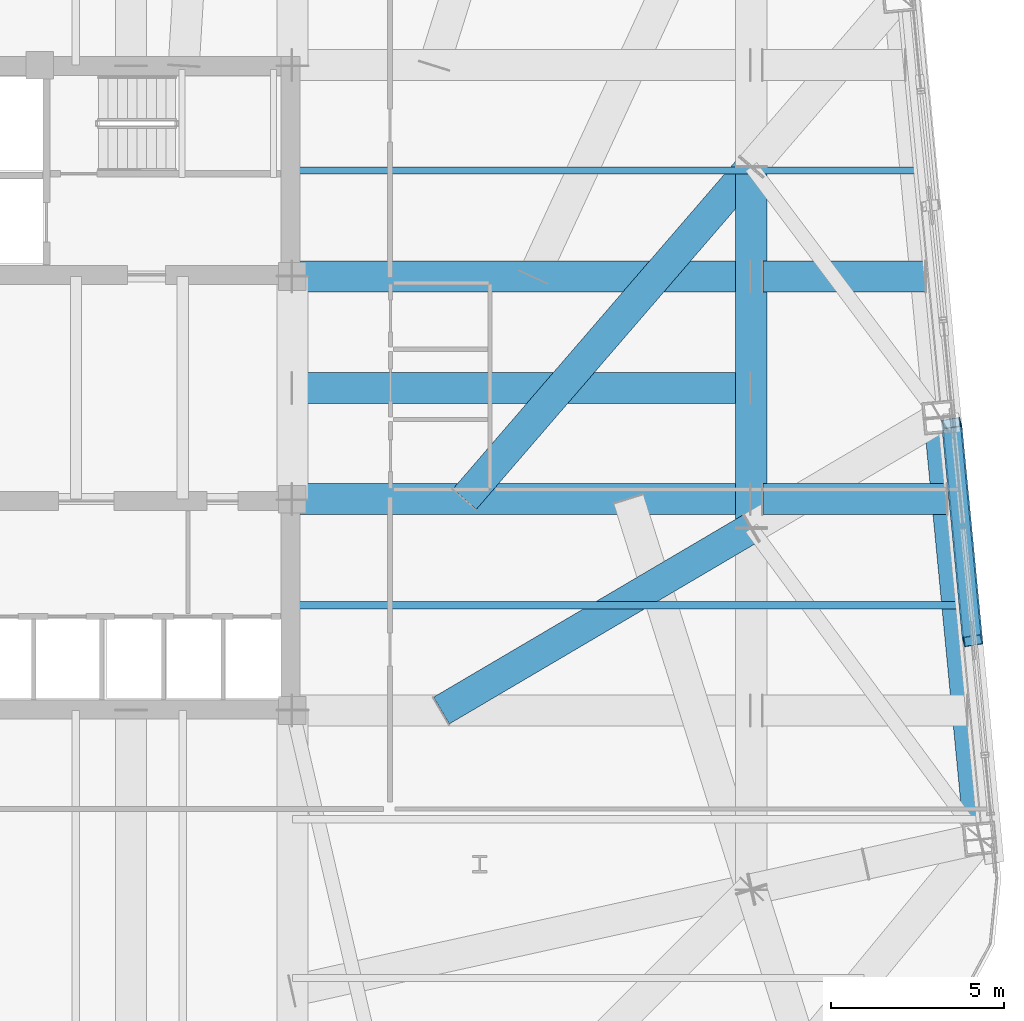
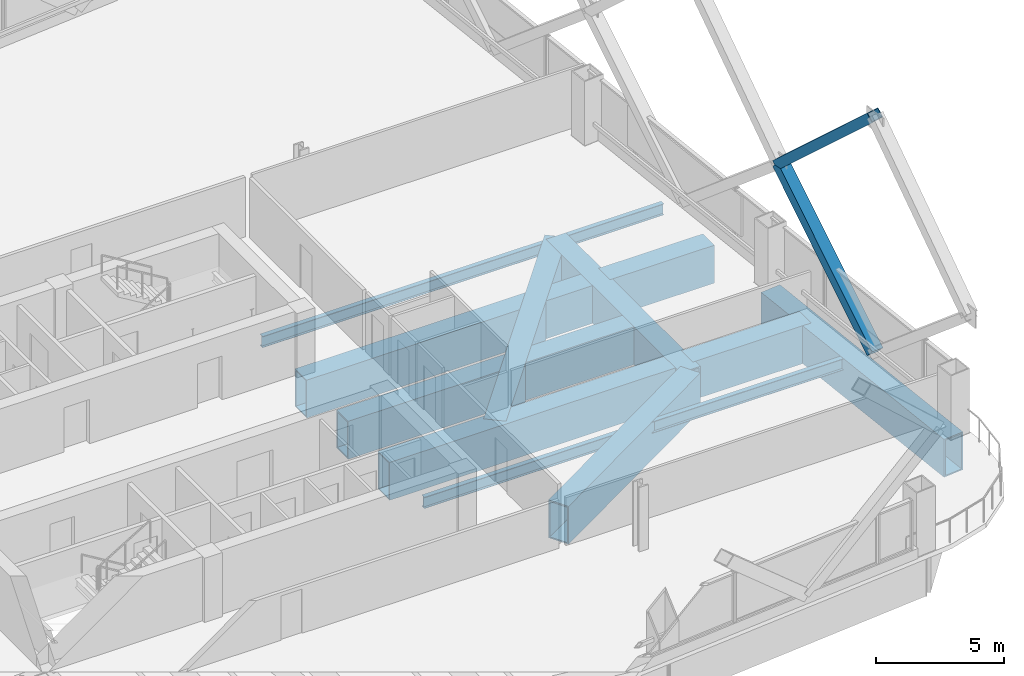
# One storey, part 19 of 42: 11 beams, 2 members.
"""IFC4 building model written with IfcOpenShell, lengths in metres."""

from ifc_helpers import new_model, si_unit, direction, frame, origin, origin_2d, place, context, subcontext, project, spatial, hollow_rectangle, i_section, extrude, material, material_profile, profile_set, type_object, element, save


model = new_model("IFC4")

# Units and contexts
model_context = context("Model", 3, precision=1e-05, world=origin(), true_north=direction((0.0, 1.0)))
body_context = subcontext(model_context, "Body", "Model", "MODEL_VIEW")
ifc_project = project(units=[si_unit("LENGTHUNIT", "METRE"), si_unit("AREAUNIT", "SQUARE_METRE"), si_unit("VOLUMEUNIT", "CUBIC_METRE"), si_unit("PLANEANGLEUNIT", "RADIAN"), si_unit("MASSUNIT", "GRAM", prefix="KILO")], contexts=[model_context])

# Site, building, storey
site_placement = place(None, origin())
site = spatial("IfcSite", under=ifc_project, at=site_placement, CompositionType="ELEMENT")
building_placement = place(site_placement, origin())
building = spatial("IfcBuilding", under=site, at=building_placement, Name="Qhalaya Broadcast Tower", CompositionType="ELEMENT")
storey_placement = place(building_placement, frame((0.0, 0.0, 69.449951171875)))
storey = spatial("IfcBuildingStorey", under=building, at=storey_placement, Name="L19", CompositionType="ELEMENT", Elevation=69.449951171875)

# Beams
ifc_material_1 = material(Name="Structural Steel ASTM A572 Grade 50", Category="steel")
ifc_material_profile_1 = material_profile(ifc_material_1, hollow_rectangle(XDim=0.89990234375, YDim=1.800048828125, WallThickness=0.06005859375, at=origin_2d()), Name="BOX 900x1800x60")
ifc_profile_set_1 = profile_set([ifc_material_profile_1], Name="Structural Steel ASTM A572 Grade 50")
beam_type_1 = type_object("IfcBeamType", Name="Block Cantilever Transfer Box Girder TG1", PredefinedType="USERDEFINED", material=ifc_profile_set_1)
beam_1_placement = place(storey_placement, frame((29.29248046875, -12.46533203125, -1.119873046875), z_axis=(-0.095831866369, 0.995397535354, 0.0), x_axis=(-0.995397535354, -0.095831866369, 0.0)))
element("IfcBeam", 1, at=beam_1_placement, inside=storey, type_object=beam_type_1, Name="L19 TG1 L19-SPR-05", ObjectType="GIRDER", PredefinedType="USERDEFINED", context=body_context, shape_type="SweptSolid", body=[
    extrude(hollow_rectangle(XDim=0.89990234375, YDim=1.800048828125, WallThickness=0.06005859375, at=origin_2d()), origin(), (0.0, 0.0, 1.0), 12.2666015625),
])
beam_2_placement = place(storey_placement, frame((22.669921875, -3.46337890625, -1.119873046875), z_axis=(0.0, 1.0, 0.0), x_axis=(-1.0, 0.0, 0.0)))
element("IfcBeam", 2, at=beam_2_placement, inside=storey, type_object=beam_type_1, Name="L19 TG1 L19-TGL-06", ObjectType="GIRDER", PredefinedType="USERDEFINED", context=body_context, shape_type="SweptSolid", body=[
    extrude(hollow_rectangle(XDim=0.89990234375, YDim=1.800048828125, WallThickness=0.06005859375, at=origin_2d()), origin(), (0.0, 0.0, 1.0), 10.466796875),
])
for number, where, z_axis, x_axis, name in (
    (3, (9.375, 0.60009765625, -1.119873046875), (1.0, 0.0, 0.0), (0.0, 1.0, 0.0), "L19 TG1 L19-TGIYE-1"),
    (4, (9.375, -2.625, -1.119873046875), (1.0, 0.0, 0.0), (0.0, 1.0, 0.0), "L19 TG1 L19-TGIY2E-1"),
    (5, (9.375, 3.824951171875, -1.119873046875), (1.0, 0.0, 0.0), (0.0, 1.0, 0.0), "L19 TG1 L19-TGIY3E-1"),
):
    element("IfcBeam", number, at=place(storey_placement, frame(where, z_axis=z_axis, x_axis=x_axis)), inside=storey, type_object=beam_type_1, Name=name, ObjectType="GIRDER", PredefinedType="USERDEFINED", context=body_context, shape_type="SweptSolid", body=[
        extrude(hollow_rectangle(XDim=0.89990234375, YDim=1.800048828125, WallThickness=0.06005859375, at=origin_2d()), origin(), (0.0, 0.0, 1.0), 13.2548828125),
    ])
beam_3_placement = place(storey_placement, frame((13.69384765625, -8.75, -1.119873046875), z_axis=(0.861658153971, 0.5074891385, 0.0), x_axis=(-0.5074891385, 0.861658153971, 0.0)))
element("IfcBeam", 6, at=beam_3_placement, inside=storey, type_object=beam_type_1, Name="L19 Collinear Back-Span Transfer Box Girder 06", ObjectType="GIRDER", PredefinedType="USERDEFINED", context=body_context, shape_type="SweptSolid", body=[
    extrude(hollow_rectangle(XDim=0.89990234375, YDim=1.800048828125, WallThickness=0.06005859375, at=origin_2d()), origin(), (0.0, 0.0, 1.0), 10.417236328125),
])
beam_4_placement = place(storey_placement, frame((14.364990234375, -2.625, -1.119873046875), z_axis=(0.653145840291, 0.757232138324, 0.0), x_axis=(-0.757232138324, 0.653145840291, 0.0)))
element("IfcBeam", 7, at=beam_4_placement, inside=storey, type_object=beam_type_1, Name="L19 Collinear Back-Span Transfer Box Girder 07", ObjectType="GIRDER", PredefinedType="USERDEFINED", context=body_context, shape_type="SweptSolid", body=[
    extrude(hollow_rectangle(XDim=0.89990234375, YDim=1.800048828125, WallThickness=0.06005859375, at=origin_2d()), origin(), (0.0, 0.0, 1.0), 12.71533203125),
])
beam_5_placement = place(storey_placement, frame((23.010009765625, -2.625, -1.119873046875), z_axis=(1.0, 0.0, 0.0), x_axis=(0.0, 1.0, 0.0)))
element("IfcBeam", 8, at=beam_5_placement, inside=storey, type_object=beam_type_1, Name="L19 TG1 L19-PGYE2-OV1", ObjectType="GIRDER", PredefinedType="USERDEFINED", context=body_context, shape_type="SweptSolid", body=[
    extrude(hollow_rectangle(XDim=0.89990234375, YDim=1.800048828125, WallThickness=0.06005859375, at=origin_2d()), origin(), (0.0, 0.0, 1.0), 5.31494140625),
])
beam_6_placement = place(storey_placement, frame((23.010009765625, 3.824951171875, -1.119873046875), z_axis=(1.0, 0.0, 0.0), x_axis=(0.0, 1.0, 0.0)))
element("IfcBeam", 9, at=beam_6_placement, inside=storey, type_object=beam_type_1, Name="L19 TG1 L19-PGYE3-OV1", ObjectType="GIRDER", PredefinedType="USERDEFINED", context=body_context, shape_type="SweptSolid", body=[
    extrude(hollow_rectangle(XDim=0.89990234375, YDim=1.800048828125, WallThickness=0.06005859375, at=origin_2d()), origin(), (0.0, 0.0, 1.0), 4.69384765625),
])
ifc_material_2 = material(Name="Structural Steel ASTM A992 Grade 50", Category="steel")
ifc_material_profile_2 = material_profile(ifc_material_2, i_section(OverallWidth=0.2099609375, OverallDepth=0.535888671875, WebThickness=0.010986328125, FlangeThickness=0.017333984375, at=origin_2d()), Name="W21X68")
ifc_profile_set_2 = profile_set([ifc_material_profile_2], Name="Structural Steel ASTM A992 Grade 50")
beam_type_2 = type_object("IfcBeamType", Name="Composite Floor Joist J02", PredefinedType="JOIST", material=ifc_profile_set_2)
beam_7_placement = place(storey_placement, frame((9.375, -5.699951171875, -0.488037109375), z_axis=(1.0, 0.0, 0.0), x_axis=(0.0, 1.0, 0.0)))
element("IfcBeam", 10, at=beam_7_placement, inside=storey, type_object=beam_type_2, Name="L19 J02 L19-JWE3E-1", PredefinedType="JOIST", context=body_context, shape_type="SweptSolid", body=[
    extrude(i_section(OverallWidth=0.2099609375, OverallDepth=0.535888671875, WebThickness=0.010986328125, FlangeThickness=0.017333984375, at=origin_2d()), origin(), (0.0, 0.0, 1.0), 19.24609375),
])
beam_8_placement = place(storey_placement, frame((9.375, 6.89990234375, -0.488037109375), z_axis=(1.0, 0.0, 0.0), x_axis=(0.0, 1.0, 0.0)))
element("IfcBeam", 11, at=beam_8_placement, inside=storey, type_object=beam_type_2, Name="L19 J02 L19-JWE5E-1", PredefinedType="JOIST", context=body_context, shape_type="SweptSolid", body=[
    extrude(i_section(OverallWidth=0.2099609375, OverallDepth=0.535888671875, WebThickness=0.010986328125, FlangeThickness=0.017333984375, at=origin_2d()), origin(), (0.0, 0.0, 1.0), 18.03271484375),
])

# Members
ifc_material_profile_3 = material_profile(ifc_material_1, hollow_rectangle(XDim=0.419921875, YDim=0.550048828125, WallThickness=0.028076171875, at=origin_2d()), Name="BOX 420x550x28")
ifc_profile_set_3 = profile_set([ifc_material_profile_3], Name="Structural Steel ASTM A572 Grade 50")
member_type = type_object("IfcMemberType", Name="Exoskeleton Diamond Diagonal Mid-Low EX2", PredefinedType="BRACE", material=ifc_profile_set_3)
member_1_placement = place(storey_placement, frame((29.08154296875, -6.725830078125, 0.360107421875), z_axis=(-0.073037413912, 0.758637209183, 0.647406457345), x_axis=(0.157160868222, -0.632274975342, 0.758636155912)))
element("IfcMember", 12, at=member_1_placement, inside=storey, type_object=member_type, Name="B2 Exoskeleton Diamond Brace E1-D2", PredefinedType="BRACE", context=body_context, shape_type="SweptSolid", body=[
    extrude(hollow_rectangle(XDim=0.419921875, YDim=0.550048828125, WallThickness=0.028076171875, at=origin_2d()), origin(), (0.0, 0.0, 1.0), 8.309814453125),
])
member_2_placement = place(storey_placement, frame((28.474609375, -0.421630859375, 5.739990234375), z_axis=(0.070340028415, -0.730619555004, 0.679151931638), x_axis=(-0.160189075689, 0.663728866417, 0.730618540632)))
element("IfcMember", 13, at=member_2_placement, inside=storey, type_object=member_type, Name="B2 Exoskeleton Diamond Brace E1-D4", PredefinedType="BRACE", context=body_context, shape_type="SweptSolid", body=[
    extrude(hollow_rectangle(XDim=0.419921875, YDim=0.550048828125, WallThickness=0.028076171875, at=origin_2d()), origin(), (0.0, 0.0, 1.0), 8.628662109375),
])

save(model, "model.ifc")
